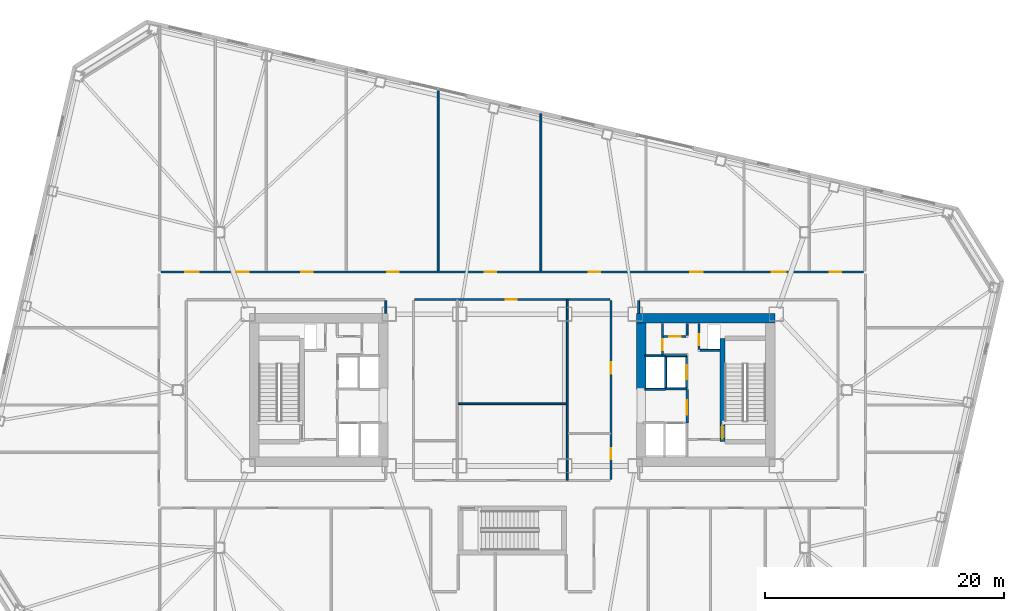
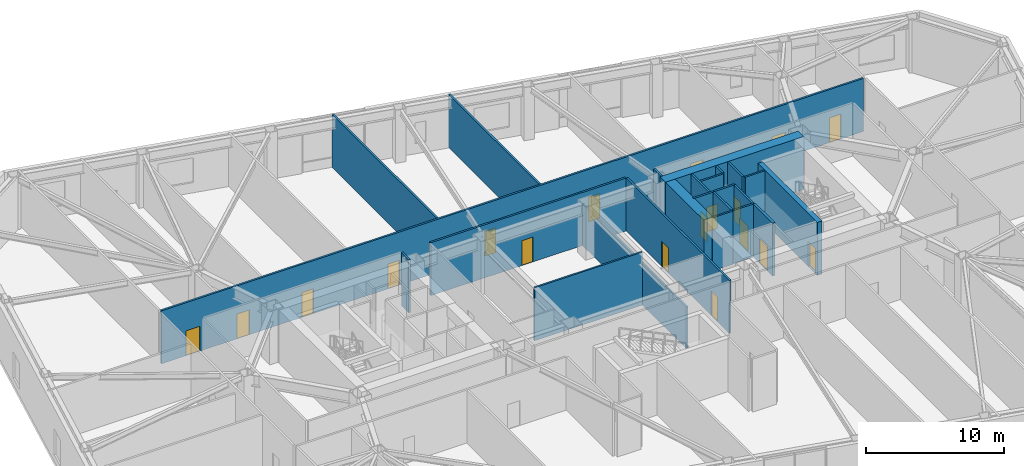
# One storey, part 13 of 21: 24 walls, 18 doors, 18 openings.
"""IFC4 building model written with IfcOpenShell, lengths in metres."""

from ifc_helpers import new_model, si_unit, direction, frame, frame_2d, origin, place, context, subcontext, project, spatial, rectangle, extrude, material, layer, layer_set, type_object, element, fill, save


model = new_model("IFC4")

# Units and contexts
model_context = context("Model", 3, precision=1e-05, world=origin(), true_north=direction((0.0, 1.0)))
body_context = subcontext(model_context, "Body", "Model", "MODEL_VIEW")
ifc_project = project(units=[si_unit("LENGTHUNIT", "METRE"), si_unit("AREAUNIT", "SQUARE_METRE"), si_unit("VOLUMEUNIT", "CUBIC_METRE"), si_unit("PLANEANGLEUNIT", "RADIAN"), si_unit("MASSUNIT", "GRAM", prefix="KILO")], contexts=[model_context])

# Site, building, storey
site_placement = place(None, origin())
site = spatial("IfcSite", under=ifc_project, at=site_placement, CompositionType="ELEMENT")
building_placement = place(site_placement, origin())
building = spatial("IfcBuilding", under=site, at=building_placement, Name="Tavrogorsk Clinical Tower", CompositionType="ELEMENT")
storey_placement = place(building_placement, frame((0.0, 0.0, 8.39990234375)))
storey = spatial("IfcBuildingStorey", under=building, at=storey_placement, Name="L01", CompositionType="ELEMENT", Elevation=8.39990234375)

# Wall, opening, door
ifc_material_1 = material(Name="Concrete B60", Category="concrete")
ifc_layer_1 = layer(ifc_material_1, 0.199951171875)
ifc_layer_set_1 = layer_set([ifc_layer_1], Name="Concrete B60")
wall_type_1 = type_object("IfcWallType", Name="CoreFireWall_200", PredefinedType="SOLIDWALL", material=ifc_layer_set_1)
wall_1_placement = place(storey_placement, frame((14.639892578125, -2.780029296875, 0.0), z_axis=(0.0, 0.0, 1.0), x_axis=(0.0, 1.0, 0.0)))
wall_1 = element("IfcWall", 1, at=wall_1_placement, inside=storey, type_object=wall_type_1, Name="L01 Core East Firefighting Lobby Fire Wall", PredefinedType="SOLIDWALL", context=body_context, shape_type="SweptSolid", body=[
    extrude(rectangle(XDim=2.820068359375, YDim=0.199951171875, at=frame_2d((1.41015625, 0.0))), origin(), (0.0, 0.0, 1.0), 4.7001953125),
])
opening_1_placement = place(wall_1_placement, frame((0.72998046875, 0.0, 0.0)))
opening_1 = element("IfcOpeningElement", 2, at=opening_1_placement, cuts=wall_1, Name="Opening FD-01", PredefinedType="OPENING", context=body_context, shape_type="SweptSolid", body=[
    extrude(rectangle(XDim=1.199951171875, YDim=2.199951171875, at=frame_2d((0.60009765625, 1.10009765625))), frame((0.0, 0.10986328125, 0.0), z_axis=(0.0, -1.0, 0.0), x_axis=(1.0, 0.0, 0.0)), (0.0, 0.0, 1.0), 0.219970703125),
])
ifc_material_2 = material(Name="Galvanised steel fire-rated door assembly", Category="steel")
door_type_1 = type_object("IfcDoorType", Name="FireDoor_FD01_1200", OperationType="NOTDEFINED", PredefinedType="DOOR", material=ifc_material_2)
door_1_placement = place(opening_1_placement, origin())
door_1 = element("IfcDoor", 3, at=door_1_placement, inside=storey, type_object=door_type_1, Name="L01 Core East Firefighting Lobby Entry Door", OperationType="SINGLE_SWING_RIGHT", OverallHeight=2.199951171875, OverallWidth=1.199951171875, PredefinedType="DOOR", context=body_context, shape_type="SweptSolid", body=[
    extrude(rectangle(XDim=1.199951171875, YDim=2.199951171875, at=frame_2d((0.60009765625, 1.10009765625))), frame((0.0, 0.02490234375, 0.0), z_axis=(0.0, -1.0, 0.0), x_axis=(1.0, 0.0, 0.0)), (0.0, 0.0, 1.0), 0.050048828125),
])
fill(opening_1, door_1)

# Walls
ifc_material_3 = material(Name="Lightweight concrete blockwork B15", Category="masonry")
ifc_layer_2 = layer(ifc_material_3, 0.139892578125)
ifc_layer_set_2 = layer_set([ifc_layer_2], Name="Lightweight concrete blockwork B15")
wall_type_2 = type_object("IfcWallType", Name="PartitionWall_140", PredefinedType="PARTITIONING", material=ifc_layer_set_2)
wall_2_placement = place(storey_placement, frame((4.60009765625, -7.56494140625, 0.0), z_axis=(0.0, 0.0, 1.0), x_axis=(0.0, 1.0, 0.0)))
element("IfcWall", 4, at=wall_2_placement, inside=storey, type_object=wall_type_2, Name="L01 Central Spine Partition 2", PredefinedType="PARTITIONING", context=body_context, shape_type="SweptSolid", body=[
    extrude(rectangle(XDim=15.1298828125, YDim=0.139892578125, at=frame_2d((7.56494140625, 0.0))), origin(), (0.0, 0.0, 1.0), 3.695068359375),
])
wall_3_placement = place(storey_placement, frame((-4.52490234375, -1.14990234375, 0.0), z_axis=(0.0, 0.0, 1.0), x_axis=(1.0, 0.0, 0.0)))
element("IfcWall", 5, at=wall_3_placement, inside=storey, type_object=wall_type_2, Name="L01 Central Spine Partition 3", PredefinedType="PARTITIONING", context=body_context, shape_type="SweptSolid", body=[
    extrude(rectangle(XDim=9.0498046875, YDim=0.139892578125, at=frame_2d((4.52490234375, 0.0))), origin(), (0.0, 0.0, 1.0), 4.7001953125),
])

# Wall, opening, door
ifc_material_4 = material(Name="Lightweight concrete blockwork B15", Category="masonry")
ifc_layer_3 = layer(ifc_material_4, 0.159912109375)
ifc_layer_set_3 = layer_set([ifc_layer_3], Name="Lightweight concrete blockwork B15")
wall_type_3 = type_object("IfcWallType", Name="PartitionWall_160", PredefinedType="PARTITIONING", material=ifc_layer_set_3)
wall_4_placement = place(storey_placement, frame((12.580078125, 2.9599609375, 0.0), z_axis=(0.0, 0.0, 1.0), x_axis=(0.0, 1.0, 0.0)))
wall_4 = element("IfcWall", 6, at=wall_4_placement, inside=storey, type_object=wall_type_3, Name="L01 Core East Linen Closet Wall", PredefinedType="PARTITIONING", context=body_context, shape_type="SweptSolid", body=[
    extrude(rectangle(XDim=2.60009765625, YDim=0.159912109375, at=frame_2d((1.300048828125, 0.0))), origin(), (0.0, 0.0, 1.0), 4.7001953125),
])
opening_2_placement = place(wall_4_placement, frame((0.35009765625, 0.0, 0.0)))
opening_2 = element("IfcOpeningElement", 7, at=opening_2_placement, cuts=wall_4, Name="Opening ID-02", PredefinedType="OPENING", context=body_context, shape_type="SweptSolid", body=[
    extrude(rectangle(XDim=0.949951171875, YDim=2.199951171875, at=frame_2d((0.47509765625, 1.10009765625))), frame((0.0, 0.08984375, 0.0), z_axis=(0.0, -1.0, 0.0), x_axis=(1.0, 0.0, 0.0)), (0.0, 0.0, 1.0), 0.179931640625),
])
ifc_material_5 = material(Name="Laminated timber leaf on aluminium frame", Category="wood")
door_type_2 = type_object("IfcDoorType", Name="InteriorDoor_ID02_950", OperationType="NOTDEFINED", PredefinedType="DOOR", material=ifc_material_5)
door_2_placement = place(opening_2_placement, origin())
door_2 = element("IfcDoor", 8, at=door_2_placement, inside=storey, type_object=door_type_2, Name="L01 Core East Linen Closet Door", OperationType="SINGLE_SWING_RIGHT", OverallHeight=2.199951171875, OverallWidth=0.949951171875, PredefinedType="DOOR", context=body_context, shape_type="SweptSolid", body=[
    extrude(rectangle(XDim=0.949951171875, YDim=2.199951171875, at=frame_2d((0.47509765625, 1.10009765625))), frame((0.0, 0.02490234375, 0.0), z_axis=(0.0, -1.0, 0.0), x_axis=(1.0, 0.0, 0.0)), (0.0, 0.0, 1.0), 0.050048828125),
])
fill(opening_2, door_2)

wall_5_placement = place(storey_placement, frame((12.6650390625, 4.47998046875, 0.0), z_axis=(0.0, 0.0, 1.0), x_axis=(1.0, 0.0, 0.0)))
wall_5 = element("IfcWall", 9, at=wall_5_placement, inside=storey, type_object=wall_type_3, Name="L01 Core East Housekeeping South Wall", PredefinedType="PARTITIONING", context=body_context, shape_type="SweptSolid", body=[
    extrude(rectangle(XDim=1.889892578125, YDim=0.159912109375, at=frame_2d((0.94482421875, 0.0))), origin(), (0.0, 0.0, 1.0), 4.7001953125),
])
opening_3_placement = place(wall_5_placement, frame((0.5, 0.0, 0.0)))
opening_3 = element("IfcOpeningElement", 10, at=opening_3_placement, cuts=wall_5, Name="Opening ID-02", PredefinedType="OPENING", context=body_context, shape_type="SweptSolid", body=[
    extrude(rectangle(XDim=0.949951171875, YDim=2.199951171875, at=frame_2d((0.47509765625, 1.10009765625))), frame((0.0, 0.08984375, 0.0), z_axis=(0.0, -1.0, 0.0), x_axis=(1.0, 0.0, 0.0)), (0.0, 0.0, 1.0), 0.179931640625),
])
door_3_placement = place(opening_3_placement, origin())
door_3 = element("IfcDoor", 11, at=door_3_placement, inside=storey, type_object=door_type_2, Name="L01 Core East Housekeeping Closet Door", OperationType="SINGLE_SWING_LEFT", OverallHeight=2.199951171875, OverallWidth=0.949951171875, PredefinedType="DOOR", context=body_context, shape_type="SweptSolid", body=[
    extrude(rectangle(XDim=0.949951171875, YDim=2.199951171875, at=frame_2d((0.47509765625, 1.10009765625))), frame((0.0, 0.02490234375, 0.0), z_axis=(0.0, -1.0, 0.0), x_axis=(1.0, 0.0, 0.0)), (0.0, 0.0, 1.0), 0.050048828125),
])
fill(opening_3, door_3)

# Wall
wall_6_placement = place(storey_placement, frame((14.639892578125, 4.56494140625, 0.0), z_axis=(0.0, 0.0, 1.0), x_axis=(0.0, 1.0, 0.0)))
element("IfcWall", 12, at=wall_6_placement, inside=storey, type_object=wall_type_3, Name="L01 Core East Housekeeping East Wall", PredefinedType="PARTITIONING", context=body_context, shape_type="SweptSolid", body=[
    extrude(rectangle(XDim=0.9951171875, YDim=0.159912109375, at=frame_2d((0.49755859375, 0.0))), origin(), (0.0, 0.0, 1.0), 4.7001953125),
])

# Wall, openings, doors
wall_7_placement = place(storey_placement, frame((-29.4150390625, 9.8798828125, 0.0), z_axis=(0.0, 0.0, 1.0), x_axis=(1.0, 0.0, 0.0)))
wall_7 = element("IfcWall", 13, at=wall_7_placement, inside=storey, type_object=wall_type_3, Name="L01 Corridor Partition 02", PredefinedType="PARTITIONING", context=body_context, shape_type="SweptSolid", body=[
    extrude(rectangle(XDim=58.830078125, YDim=0.159912109375, at=frame_2d((29.4150390625, 0.0))), origin(), (0.0, 0.0, 1.0), 4.7001953125),
])
opening_4_placement = place(wall_7_placement, frame((2.044189453125, 0.0, 0.0)))
opening_4 = element("IfcOpeningElement", 14, at=opening_4_placement, cuts=wall_7, Name="Opening ID-06", PredefinedType="OPENING", context=body_context, shape_type="SweptSolid", body=[
    extrude(rectangle(XDim=1.14990234375, YDim=2.199951171875, at=frame_2d((0.574951171875, 1.10009765625))), frame((0.0, 0.08984375, 0.0), z_axis=(0.0, -1.0, 0.0), x_axis=(1.0, 0.0, 0.0)), (0.0, 0.0, 1.0), 0.179931640625),
])
opening_5_placement = place(wall_7_placement, frame((6.300048828125, 0.0, 0.0)))
opening_5 = element("IfcOpeningElement", 15, at=opening_5_placement, cuts=wall_7, Name="Opening ID-04", PredefinedType="OPENING", context=body_context, shape_type="SweptSolid", body=[
    extrude(rectangle(XDim=1.050048828125, YDim=2.199951171875, at=frame_2d((0.52490234375, 1.10009765625))), frame((0.0, 0.08984375, 0.0), z_axis=(0.0, -1.0, 0.0), x_axis=(1.0, 0.0, 0.0)), (0.0, 0.0, 1.0), 0.179931640625),
])
opening_6_placement = place(wall_7_placement, frame((11.77490234375, 0.0, 0.0)))
opening_6 = element("IfcOpeningElement", 16, at=opening_6_placement, cuts=wall_7, Name="Opening ID-02", PredefinedType="OPENING", context=body_context, shape_type="SweptSolid", body=[
    extrude(rectangle(XDim=0.949951171875, YDim=2.199951171875, at=frame_2d((0.47509765625, 1.10009765625))), frame((0.0, 0.08984375, 0.0), z_axis=(0.0, -1.0, 0.0), x_axis=(1.0, 0.0, 0.0)), (0.0, 0.0, 1.0), 0.179931640625),
])
opening_7_placement = place(wall_7_placement, frame((18.97509765625, 0.0, 0.0)))
opening_7 = element("IfcOpeningElement", 17, at=opening_7_placement, cuts=wall_7, Name="Opening ID-02", PredefinedType="OPENING", context=body_context, shape_type="SweptSolid", body=[
    extrude(rectangle(XDim=0.949951171875, YDim=2.199951171875, at=frame_2d((0.47509765625, 1.10009765625))), frame((0.0, 0.08984375, 0.0), z_axis=(0.0, -1.0, 0.0), x_axis=(1.0, 0.0, 0.0)), (0.0, 0.0, 1.0), 0.179931640625),
])
opening_8_placement = place(wall_7_placement, frame((27.125, 0.0, 0.0)))
opening_8 = element("IfcOpeningElement", 18, at=opening_8_placement, cuts=wall_7, Name="Opening ID-02", PredefinedType="OPENING", context=body_context, shape_type="SweptSolid", body=[
    extrude(rectangle(XDim=0.949951171875, YDim=2.199951171875, at=frame_2d((0.47509765625, 1.10009765625))), frame((0.0, 0.08984375, 0.0), z_axis=(0.0, -1.0, 0.0), x_axis=(1.0, 0.0, 0.0)), (0.0, 0.0, 1.0), 0.179931640625),
])
opening_9_placement = place(wall_7_placement, frame((35.824951171875, 0.0, 0.0)))
opening_9 = element("IfcOpeningElement", 19, at=opening_9_placement, cuts=wall_7, Name="Opening ID-02", PredefinedType="OPENING", context=body_context, shape_type="SweptSolid", body=[
    extrude(rectangle(XDim=0.949951171875, YDim=2.199951171875, at=frame_2d((0.47509765625, 1.10009765625))), frame((0.0, 0.08984375, 0.0), z_axis=(0.0, -1.0, 0.0), x_axis=(1.0, 0.0, 0.0)), (0.0, 0.0, 1.0), 0.179931640625),
])
opening_10_placement = place(wall_7_placement, frame((44.324951171875, 0.0, 0.0)))
opening_10 = element("IfcOpeningElement", 20, at=opening_10_placement, cuts=wall_7, Name="Opening ID-04", PredefinedType="OPENING", context=body_context, shape_type="SweptSolid", body=[
    extrude(rectangle(XDim=1.050048828125, YDim=2.199951171875, at=frame_2d((0.52490234375, 1.10009765625))), frame((0.0, 0.08984375, 0.0), z_axis=(0.0, -1.0, 0.0), x_axis=(1.0, 0.0, 0.0)), (0.0, 0.0, 1.0), 0.179931640625),
])
opening_11_placement = place(wall_7_placement, frame((51.14990234375, 0.0, 0.0)))
opening_11 = element("IfcOpeningElement", 21, at=opening_11_placement, cuts=wall_7, Name="Opening ID-06", PredefinedType="OPENING", context=body_context, shape_type="SweptSolid", body=[
    extrude(rectangle(XDim=1.14990234375, YDim=2.199951171875, at=frame_2d((0.574951171875, 1.10009765625))), frame((0.0, 0.08984375, 0.0), z_axis=(0.0, -1.0, 0.0), x_axis=(1.0, 0.0, 0.0)), (0.0, 0.0, 1.0), 0.179931640625),
])
opening_12_placement = place(wall_7_placement, frame((56.005859375, 0.0, 0.0)))
opening_12 = element("IfcOpeningElement", 22, at=opening_12_placement, cuts=wall_7, Name="Opening ID-02", PredefinedType="OPENING", context=body_context, shape_type="SweptSolid", body=[
    extrude(rectangle(XDim=0.949951171875, YDim=2.199951171875, at=frame_2d((0.47509765625, 1.10009765625))), frame((0.0, 0.08984375, 0.0), z_axis=(0.0, -1.0, 0.0), x_axis=(1.0, 0.0, 0.0)), (0.0, 0.0, 1.0), 0.179931640625),
])
ifc_material_6 = material(Name="Antibacterial HPL consultation door on aluminium frame", Category="aluminium")
door_type_3 = type_object("IfcDoorType", Name="ConsultDoor_ID04_1050", OperationType="NOTDEFINED", PredefinedType="DOOR", material=ifc_material_6)
door_4_placement = place(opening_5_placement, origin())
door_4 = element("IfcDoor", 23, at=door_4_placement, inside=storey, type_object=door_type_3, Name="L01 North Imaging Control & Reporting Room 02 Door", OperationType="SINGLE_SWING_RIGHT", OverallHeight=2.199951171875, OverallWidth=1.050048828125, PredefinedType="DOOR", context=body_context, shape_type="SweptSolid", body=[
    extrude(rectangle(XDim=1.050048828125, YDim=2.199951171875, at=frame_2d((0.52490234375, 1.10009765625))), frame((0.0, 0.02490234375, 0.0), z_axis=(0.0, -1.0, 0.0), x_axis=(1.0, 0.0, 0.0)), (0.0, 0.0, 1.0), 0.050048828125),
])
fill(opening_5, door_4)
door_5_placement = place(opening_10_placement, origin())
door_5 = element("IfcDoor", 24, at=door_5_placement, inside=storey, type_object=door_type_3, Name="L01 North Diagnostic Imaging & MRI Suite 07 Door", OperationType="SINGLE_SWING_LEFT", OverallHeight=2.199951171875, OverallWidth=1.050048828125, PredefinedType="DOOR", context=body_context, shape_type="SweptSolid", body=[
    extrude(rectangle(XDim=1.050048828125, YDim=2.199951171875, at=frame_2d((0.52490234375, 1.10009765625))), frame((0.0, 0.02490234375, 0.0), z_axis=(0.0, -1.0, 0.0), x_axis=(1.0, 0.0, 0.0)), (0.0, 0.0, 1.0), 0.050048828125),
])
fill(opening_10, door_5)
door_6_placement = place(opening_6_placement, origin())
door_6 = element("IfcDoor", 25, at=door_6_placement, inside=storey, type_object=door_type_2, Name="L01 North Diagnostic Imaging & MRI Suite 03 Door", OperationType="SINGLE_SWING_LEFT", OverallHeight=2.199951171875, OverallWidth=0.949951171875, PredefinedType="DOOR", context=body_context, shape_type="SweptSolid", body=[
    extrude(rectangle(XDim=0.949951171875, YDim=2.199951171875, at=frame_2d((0.47509765625, 1.10009765625))), frame((0.0, 0.02490234375, 0.0), z_axis=(0.0, -1.0, 0.0), x_axis=(1.0, 0.0, 0.0)), (0.0, 0.0, 1.0), 0.050048828125),
])
fill(opening_6, door_6)
door_7_placement = place(opening_7_placement, origin())
door_7 = element("IfcDoor", 26, at=door_7_placement, inside=storey, type_object=door_type_2, Name="L01 North Imaging Control & Reporting Room 04 Door", OperationType="SINGLE_SWING_RIGHT", OverallHeight=2.199951171875, OverallWidth=0.949951171875, PredefinedType="DOOR", context=body_context, shape_type="SweptSolid", body=[
    extrude(rectangle(XDim=0.949951171875, YDim=2.199951171875, at=frame_2d((0.47509765625, 1.10009765625))), frame((0.0, 0.02490234375, 0.0), z_axis=(0.0, -1.0, 0.0), x_axis=(1.0, 0.0, 0.0)), (0.0, 0.0, 1.0), 0.050048828125),
])
fill(opening_7, door_7)
door_8_placement = place(opening_8_placement, origin())
door_8 = element("IfcDoor", 27, at=door_8_placement, inside=storey, type_object=door_type_2, Name="L01 North Diagnostic Imaging & MRI Suite 05 Door", OperationType="SINGLE_SWING_LEFT", OverallHeight=2.199951171875, OverallWidth=0.949951171875, PredefinedType="DOOR", context=body_context, shape_type="SweptSolid", body=[
    extrude(rectangle(XDim=0.949951171875, YDim=2.199951171875, at=frame_2d((0.47509765625, 1.10009765625))), frame((0.0, 0.02490234375, 0.0), z_axis=(0.0, -1.0, 0.0), x_axis=(1.0, 0.0, 0.0)), (0.0, 0.0, 1.0), 0.050048828125),
])
fill(opening_8, door_8)
door_9_placement = place(opening_9_placement, origin())
door_9 = element("IfcDoor", 28, at=door_9_placement, inside=storey, type_object=door_type_2, Name="L01 North Imaging Control & Reporting Room 06 Door", OperationType="SINGLE_SWING_RIGHT", OverallHeight=2.199951171875, OverallWidth=0.949951171875, PredefinedType="DOOR", context=body_context, shape_type="SweptSolid", body=[
    extrude(rectangle(XDim=0.949951171875, YDim=2.199951171875, at=frame_2d((0.47509765625, 1.10009765625))), frame((0.0, 0.02490234375, 0.0), z_axis=(0.0, -1.0, 0.0), x_axis=(1.0, 0.0, 0.0)), (0.0, 0.0, 1.0), 0.050048828125),
])
fill(opening_9, door_9)
door_10_placement = place(opening_12_placement, origin())
door_10 = element("IfcDoor", 29, at=door_10_placement, inside=storey, type_object=door_type_2, Name="L01 North Diagnostic Imaging & MRI Suite 09 Door", OperationType="SINGLE_SWING_LEFT", OverallHeight=2.199951171875, OverallWidth=0.949951171875, PredefinedType="DOOR", context=body_context, shape_type="SweptSolid", body=[
    extrude(rectangle(XDim=0.949951171875, YDim=2.199951171875, at=frame_2d((0.47509765625, 1.10009765625))), frame((0.0, 0.02490234375, 0.0), z_axis=(0.0, -1.0, 0.0), x_axis=(1.0, 0.0, 0.0)), (0.0, 0.0, 1.0), 0.050048828125),
])
fill(opening_12, door_10)
ifc_material_7 = material(Name="Antibacterial HPL procedure door on aluminium frame", Category="aluminium")
door_type_4 = type_object("IfcDoorType", Name="LabDoor_ID06_1150", OperationType="NOTDEFINED", PredefinedType="DOOR", material=ifc_material_7)
door_11_placement = place(opening_4_placement, origin())
door_11 = element("IfcDoor", 30, at=door_11_placement, inside=storey, type_object=door_type_4, Name="L01 North Diagnostic Imaging & MRI Suite 01 Door", OperationType="SINGLE_SWING_LEFT", OverallHeight=2.199951171875, OverallWidth=1.14990234375, PredefinedType="DOOR", context=body_context, shape_type="SweptSolid", body=[
    extrude(rectangle(XDim=1.14990234375, YDim=2.199951171875, at=frame_2d((0.574951171875, 1.10009765625))), frame((0.0, 0.02490234375, 0.0), z_axis=(0.0, -1.0, 0.0), x_axis=(1.0, 0.0, 0.0)), (0.0, 0.0, 1.0), 0.050048828125),
])
fill(opening_4, door_11)
door_12_placement = place(opening_11_placement, origin())
door_12 = element("IfcDoor", 31, at=door_12_placement, inside=storey, type_object=door_type_4, Name="L01 North Imaging Control & Reporting Room 08 Door", OperationType="SINGLE_SWING_RIGHT", OverallHeight=2.199951171875, OverallWidth=1.14990234375, PredefinedType="DOOR", context=body_context, shape_type="SweptSolid", body=[
    extrude(rectangle(XDim=1.14990234375, YDim=2.199951171875, at=frame_2d((0.574951171875, 1.10009765625))), frame((0.0, 0.02490234375, 0.0), z_axis=(0.0, -1.0, 0.0), x_axis=(1.0, 0.0, 0.0)), (0.0, 0.0, 1.0), 0.050048828125),
])
fill(opening_11, door_12)

# Wall
wall_8_placement = place(storey_placement, frame((10.580078125, 7.485107421875, 0.0), z_axis=(0.0, 0.0, 1.0), x_axis=(0.0, -1.0, 0.0)))
element("IfcWall", 32, at=wall_8_placement, inside=storey, type_object=wall_type_3, Name="L01 Corridor Partition 13", PredefinedType="PARTITIONING", context=body_context, shape_type="SweptSolid", body=[
    extrude(rectangle(XDim=1.065185546875, YDim=0.159912109375, at=frame_2d((0.53271484375, 0.0))), origin(), (0.0, 0.0, 1.0), 4.7001953125),
])

# Wall, opening, door
wall_9_placement = place(storey_placement, frame((8.18505859375, 7.570068359375, 0.0), z_axis=(0.0, 0.0, 1.0), x_axis=(-1.0, 0.0, 0.0)))
wall_9 = element("IfcWall", 33, at=wall_9_placement, inside=storey, type_object=wall_type_3, Name="L01 Corridor Partition 17", PredefinedType="PARTITIONING", context=body_context, shape_type="SweptSolid", body=[
    extrude(rectangle(XDim=16.3701171875, YDim=0.159912109375, at=frame_2d((8.18505859375, 0.0))), origin(), (0.0, 0.0, 1.0), 4.7001953125),
])
opening_13_placement = place(wall_9_placement, frame((7.794921875, 0.0, 0.0)))
opening_13 = element("IfcOpeningElement", 34, at=opening_13_placement, cuts=wall_9, Name="Opening ID-02", PredefinedType="OPENING", context=body_context, shape_type="SweptSolid", body=[
    extrude(rectangle(XDim=0.949951171875, YDim=2.199951171875, at=frame_2d((0.47509765625, 1.10009765625))), frame((0.0, 0.08984375, 0.0), z_axis=(0.0, -1.0, 0.0), x_axis=(1.0, 0.0, 0.0)), (0.0, 0.0, 1.0), 0.179931640625),
])
door_13_placement = place(opening_13_placement, origin())
door_13 = element("IfcDoor", 35, at=door_13_placement, inside=storey, type_object=door_type_2, Name="L01 Nurses' Station & Triage Hub Door", OperationType="SINGLE_SWING_LEFT", OverallHeight=2.199951171875, OverallWidth=0.949951171875, PredefinedType="DOOR", context=body_context, shape_type="SweptSolid", body=[
    extrude(rectangle(XDim=0.949951171875, YDim=2.199951171875, at=frame_2d((0.47509765625, 1.10009765625))), frame((0.0, 0.02490234375, 0.0), z_axis=(0.0, -1.0, 0.0), x_axis=(1.0, 0.0, 0.0)), (0.0, 0.0, 1.0), 0.050048828125),
])
fill(opening_13, door_13)

# Wall, openings, doors
wall_10_placement = place(storey_placement, frame((8.27001953125, -7.485107421875, 0.0), z_axis=(0.0, 0.0, 1.0), x_axis=(0.0, 1.0, 0.0)))
wall_10 = element("IfcWall", 36, at=wall_10_placement, inside=storey, type_object=wall_type_3, Name="L01 Corridor Partition 20", PredefinedType="PARTITIONING", context=body_context, shape_type="SweptSolid", body=[
    extrude(rectangle(XDim=14.97021484375, YDim=0.159912109375, at=frame_2d((7.485107421875, 0.0))), origin(), (0.0, 0.0, 1.0), 4.7001953125),
])
opening_14_placement = place(wall_10_placement, frame((1.67919921875, 0.0, 0.0)))
opening_14 = element("IfcOpeningElement", 37, at=opening_14_placement, cuts=wall_10, Name="Opening ID-02", PredefinedType="OPENING", context=body_context, shape_type="SweptSolid", body=[
    extrude(rectangle(XDim=0.949951171875, YDim=2.199951171875, at=frame_2d((0.47509765625, 1.10009765625))), frame((0.0, 0.08984375, 0.0), z_axis=(0.0, -1.0, 0.0), x_axis=(1.0, 0.0, 0.0)), (0.0, 0.0, 1.0), 0.179931640625),
])
opening_15_placement = place(wall_10_placement, frame((8.86083984375, 0.0, 0.0)))
opening_15 = element("IfcOpeningElement", 38, at=opening_15_placement, cuts=wall_10, Name="Opening ID-02", PredefinedType="OPENING", context=body_context, shape_type="SweptSolid", body=[
    extrude(rectangle(XDim=0.949951171875, YDim=2.199951171875, at=frame_2d((0.47509765625, 1.10009765625))), frame((0.0, 0.08984375, 0.0), z_axis=(0.0, -1.0, 0.0), x_axis=(1.0, 0.0, 0.0)), (0.0, 0.0, 1.0), 0.179931640625),
])
door_14_placement = place(opening_14_placement, origin())
door_14 = element("IfcDoor", 39, at=door_14_placement, inside=storey, type_object=door_type_2, Name="L01 Staff & Visitor Accessible WC Door", OperationType="SINGLE_SWING_RIGHT", OverallHeight=2.199951171875, OverallWidth=0.949951171875, PredefinedType="DOOR", context=body_context, shape_type="SweptSolid", body=[
    extrude(rectangle(XDim=0.949951171875, YDim=2.199951171875, at=frame_2d((0.47509765625, 1.10009765625))), frame((0.0, 0.02490234375, 0.0), z_axis=(0.0, -1.0, 0.0), x_axis=(1.0, 0.0, 0.0)), (0.0, 0.0, 1.0), 0.050048828125),
])
fill(opening_14, door_14)
door_15_placement = place(opening_15_placement, origin())
door_15 = element("IfcDoor", 40, at=door_15_placement, inside=storey, type_object=door_type_2, Name="L01 Attending Physician Office Door", OperationType="SINGLE_SWING_LEFT", OverallHeight=2.199951171875, OverallWidth=0.949951171875, PredefinedType="DOOR", context=body_context, shape_type="SweptSolid", body=[
    extrude(rectangle(XDim=0.949951171875, YDim=2.199951171875, at=frame_2d((0.47509765625, 1.10009765625))), frame((0.0, 0.02490234375, 0.0), z_axis=(0.0, -1.0, 0.0), x_axis=(1.0, 0.0, 0.0)), (0.0, 0.0, 1.0), 0.050048828125),
])
fill(opening_15, door_15)

# Walls
wall_11_placement = place(storey_placement, frame((-10.580078125, 6.419921875, 0.0), z_axis=(0.0, 0.0, 1.0), x_axis=(0.0, 1.0, 0.0)))
element("IfcWall", 41, at=wall_11_placement, inside=storey, type_object=wall_type_3, Name="L01 Corridor Partition 22", PredefinedType="PARTITIONING", context=body_context, shape_type="SweptSolid", body=[
    extrude(rectangle(XDim=1.065185546875, YDim=0.159912109375, at=frame_2d((0.53271484375, 0.0))), origin(), (0.0, 0.0, 1.0), 4.7001953125),
])
wall_12_placement = place(storey_placement, frame((-6.199951171875, 9.965087890625, 0.0), z_axis=(0.0, 0.0, 1.0), x_axis=(0.0, 1.0, 0.0)))
element("IfcWall", 42, at=wall_12_placement, inside=storey, type_object=wall_type_3, Name="L01 North Room Partition 4", PredefinedType="PARTITIONING", context=body_context, shape_type="SweptSolid", body=[
    extrude(rectangle(XDim=15.139404296875, YDim=0.159912109375, at=frame_2d((7.56982421875, 0.0))), origin(), (0.0, 0.0, 1.0), 4.7001953125),
])
wall_13_placement = place(storey_placement, frame((2.39990234375, 9.965087890625, 0.0), z_axis=(0.0, 0.0, 1.0), x_axis=(0.0, 1.0, 0.0)))
element("IfcWall", 43, at=wall_13_placement, inside=storey, type_object=wall_type_3, Name="L01 North Room Partition 5", PredefinedType="PARTITIONING", context=body_context, shape_type="SweptSolid", body=[
    extrude(rectangle(XDim=13.15380859375, YDim=0.159912109375, at=frame_2d((6.576904296875, 0.0))), origin(), (0.0, 0.0, 1.0), 4.7001953125),
])

# Wall, opening, door
ifc_material_8 = material(Name="Lightweight concrete blockwork B25", Category="masonry")
ifc_layer_4 = layer(ifc_material_8, 0.159912109375)
ifc_layer_set_4 = layer_set([ifc_layer_4], Name="Lightweight concrete blockwork B25")
wall_type_4 = type_object("IfcWallType", Name="ShaftWall_160", PredefinedType="PARTITIONING", material=ifc_layer_set_4)
wall_14_placement = place(storey_placement, frame((14.60009765625, 0.1201171875, 0.0), z_axis=(0.0, 0.0, 1.0), x_axis=(0.0, 1.0, 0.0)))
wall_14 = element("IfcWall", 44, at=wall_14_placement, inside=storey, type_object=wall_type_4, Name="L01 FFL-E Firefighting Lift Front Wall", PredefinedType="PARTITIONING", context=body_context, shape_type="SweptSolid", body=[
    extrude(rectangle(XDim=2.739990234375, YDim=0.159912109375, at=frame_2d((1.3701171875, 0.0))), origin(), (0.0, 0.0, 1.0), 4.7001953125),
])
opening_16_placement = place(wall_14_placement, frame((0.77001953125, 0.0, 0.0)))
opening_16 = element("IfcOpeningElement", 45, at=opening_16_placement, cuts=wall_14, Name="Opening LD", PredefinedType="OPENING", context=body_context, shape_type="SweptSolid", body=[
    extrude(rectangle(XDim=1.199951171875, YDim=2.199951171875, at=frame_2d((0.60009765625, 1.10009765625))), frame((0.0, 0.08984375, 0.0), z_axis=(0.0, -1.0, 0.0), x_axis=(1.0, 0.0, 0.0)), (0.0, 0.0, 1.0), 0.179931640625),
])
ifc_material_9 = material(Name="Brushed stainless steel AISI 304 sliding doors", Category="steel")
door_type_5 = type_object("IfcDoorType", Name="LiftLandingDoor_LD_1200", OperationType="SLIDING_TO_LEFT", PredefinedType="DOOR", material=ifc_material_9)
door_16_placement = place(opening_16_placement, origin())
door_16 = element("IfcDoor", 46, at=door_16_placement, inside=storey, type_object=door_type_5, Name="L01 FFL-E Sliding Lift Landing Door", OperationType="SLIDING_TO_LEFT", OverallHeight=2.199951171875, OverallWidth=1.199951171875, PredefinedType="DOOR", context=body_context, shape_type="SweptSolid", body=[
    extrude(rectangle(XDim=1.199951171875, YDim=2.199951171875, at=frame_2d((0.60009765625, 1.10009765625))), frame((0.0, 0.02490234375, 0.0), z_axis=(0.0, -1.0, 0.0), x_axis=(1.0, 0.0, 0.0)), (0.0, 0.0, 1.0), 0.050048828125),
])
fill(opening_16, door_16)

# Walls
for number, where, z_axis, x_axis, name in (
    (47, (12.840087890625, 0.10009765625, 0.0), (0.0, 0.0, 1.0), (1.0, 0.0, 0.0), "L01 FFL-E Shaft South Wall"),
    (48, (12.840087890625, 2.8798828125, 0.0), (0.0, 0.0, 1.0), (1.0, 0.0, 0.0), "L01 FFL-E Shaft North Wall"),
):
    element("IfcWall", number, at=place(storey_placement, frame(where, z_axis=z_axis, x_axis=x_axis)), inside=storey, type_object=wall_type_4, Name=name, PredefinedType="PARTITIONING", context=body_context, shape_type="SweptSolid", body=[
        extrude(rectangle(XDim=1.760009765625, YDim=0.159912109375, at=frame_2d((0.8798828125, 0.0))), origin(), (0.0, 0.0, 1.0), 4.7001953125),
    ])
wall_15_placement = place(storey_placement, frame((12.840087890625, 0.179931640625, 0.0), z_axis=(0.0, 0.0, 1.0), x_axis=(0.0, 1.0, 0.0)))
element("IfcWall", 49, at=wall_15_placement, inside=storey, type_object=wall_type_4, Name="L01 FFL-E Shaft Back Wall", PredefinedType="PARTITIONING", context=body_context, shape_type="SweptSolid", body=[
    extrude(rectangle(XDim=2.6201171875, YDim=0.159912109375, at=frame_2d((1.31005859375, 0.0))), origin(), (0.0, 0.0, 1.0), 4.7001953125),
])
for number, where, z_axis, x_axis, name in (
    (50, (11.10009765625, 0.06005859375, 0.0), (0.0, 0.0, 1.0), (1.0, 0.0, 0.0), "L01 LP-H2 High-Zone Lift Portal Wall"),
    (51, (11.10009765625, 2.860107421875, 0.0), (0.0, 0.0, 1.0), (1.0, 0.0, 0.0), "L01 LP-H2 High-Zone Lift Rear Wall"),
):
    element("IfcWall", number, at=place(storey_placement, frame(where, z_axis=z_axis, x_axis=x_axis)), inside=storey, type_object=wall_type_4, Name=name, PredefinedType="PARTITIONING", context=body_context, shape_type="SweptSolid", body=[
        extrude(rectangle(XDim=1.719970703125, YDim=0.159912109375, at=frame_2d((0.85986328125, 0.0))), origin(), (0.0, 0.0, 1.0), 4.7001953125),
    ])

# Wall, opening, door
wall_16_placement = place(storey_placement, frame((15.639892578125, 3.405029296875, 0.0), z_axis=(0.0, 0.0, 1.0), x_axis=(0.0, 1.0, 0.0)))
wall_16 = element("IfcWall", 52, at=wall_16_placement, inside=storey, type_object=wall_type_4, Name="L01 Core East Riser West Wall", PredefinedType="PARTITIONING", context=body_context, shape_type="SweptSolid", body=[
    extrude(rectangle(XDim=2.155029296875, YDim=0.159912109375, at=frame_2d((1.07763671875, 0.0))), origin(), (0.0, 0.0, 1.0), 4.7001953125),
])
opening_17_placement = place(wall_16_placement, frame((0.35009765625, 0.0, 0.0)))
opening_17 = element("IfcOpeningElement", 53, at=opening_17_placement, cuts=wall_16, Name="Opening FD-02", PredefinedType="OPENING", context=body_context, shape_type="SweptSolid", body=[
    extrude(rectangle(XDim=0.89990234375, YDim=2.199951171875, at=frame_2d((0.449951171875, 1.10009765625))), frame((0.0, 0.08984375, 0.0), z_axis=(0.0, -1.0, 0.0), x_axis=(1.0, 0.0, 0.0)), (0.0, 0.0, 1.0), 0.179931640625),
])
ifc_material_10 = material(Name="Galvanised steel fire-rated door assembly", Category="steel")
door_type_6 = type_object("IfcDoorType", Name="FireDoor_FD02_900", OperationType="NOTDEFINED", PredefinedType="DOOR", material=ifc_material_10)
door_17_placement = place(opening_17_placement, origin())
door_17 = element("IfcDoor", 54, at=door_17_placement, inside=storey, type_object=door_type_6, Name="L01 Core East Electrical Riser Access Door", OperationType="SINGLE_SWING_RIGHT", OverallHeight=2.199951171875, OverallWidth=0.89990234375, PredefinedType="DOOR", context=body_context, shape_type="SweptSolid", body=[
    extrude(rectangle(XDim=0.89990234375, YDim=2.199951171875, at=frame_2d((0.449951171875, 1.10009765625))), frame((0.0, 0.02490234375, 0.0), z_axis=(0.0, -1.0, 0.0), x_axis=(1.0, 0.0, 0.0)), (0.0, 0.0, 1.0), 0.050048828125),
])
fill(opening_17, door_17)

# Wall
wall_17_placement = place(storey_placement, frame((15.72509765625, 3.320068359375, 0.0), z_axis=(0.0, 0.0, 1.0), x_axis=(1.0, 0.0, 0.0)))
element("IfcWall", 55, at=wall_17_placement, inside=storey, type_object=wall_type_4, Name="L01 Core East Riser South Wall", PredefinedType="PARTITIONING", context=body_context, shape_type="SweptSolid", body=[
    extrude(rectangle(XDim=1.65478515625, YDim=0.159912109375, at=frame_2d((0.827392578125, 0.0))), origin(), (0.0, 0.0, 1.0), 4.7001953125),
])

# Wall, opening, door
ifc_material_11 = material(Name="Concrete B80", Category="concrete")
ifc_layer_5 = layer(ifc_material_11, 0.39990234375)
ifc_layer_set_5 = layer_set([ifc_layer_5], Name="Concrete B80")
wall_type_5 = type_object("IfcWallType", Name="ShearWall_400", PredefinedType="SHEAR", material=ifc_layer_set_5)
wall_18_placement = place(storey_placement, frame((17.60009765625, -4.324951171875, 0.0), z_axis=(0.0, 0.0, 1.0), x_axis=(0.0, 1.0, 0.0)))
wall_18 = element("IfcWall", 56, at=wall_18_placement, inside=storey, type_object=wall_type_5, Name="L01 Core East Stair Shaft Inner Shear Wall", PredefinedType="SHEAR", context=body_context, shape_type="SweptSolid", body=[
    extrude(rectangle(XDim=8.64990234375, YDim=0.39990234375, at=frame_2d((4.324951171875, 0.0))), origin(), (0.0, 0.0, 1.0), 4.7001953125),
])
opening_18_placement = place(wall_18_placement, frame((0.25, 0.0, 0.0)))
opening_18 = element("IfcOpeningElement", 57, at=opening_18_placement, cuts=wall_18, Name="Opening SD-01", PredefinedType="OPENING", context=body_context, shape_type="SweptSolid", body=[
    extrude(rectangle(XDim=1.10009765625, YDim=2.199951171875, at=frame_2d((0.550048828125, 1.10009765625))), frame((0.0, 0.2099609375, 0.0), z_axis=(0.0, -1.0, 0.0), x_axis=(1.0, 0.0, 0.0)), (0.0, 0.0, 1.0), 0.419921875),
])
ifc_material_12 = material(Name="Galvanised steel smoke-tight fire door assembly", Category="steel")
door_type_7 = type_object("IfcDoorType", Name="StairFireDoor_SD01_1100", OperationType="NOTDEFINED", PredefinedType="DOOR", material=ifc_material_12)
door_18_placement = place(opening_18_placement, origin())
door_18 = element("IfcDoor", 58, at=door_18_placement, inside=storey, type_object=door_type_7, Name="L01 ST-E Exit Stair Door", OperationType="SINGLE_SWING_LEFT", OverallHeight=2.199951171875, OverallWidth=1.10009765625, PredefinedType="DOOR", context=body_context, shape_type="SweptSolid", body=[
    extrude(rectangle(XDim=1.10009765625, YDim=2.199951171875, at=frame_2d((0.550048828125, 1.10009765625))), frame((0.0, 0.02490234375, 0.0), z_axis=(0.0, -1.0, 0.0), x_axis=(1.0, 0.0, 0.0)), (0.0, 0.0, 1.0), 0.050048828125),
])
fill(opening_18, door_18)

# Walls
ifc_material_13 = material(Name="Concrete B80", Category="concrete")
ifc_layer_6 = layer(ifc_material_13, 0.800048828125)
ifc_layer_set_6 = layer_set([ifc_layer_6], Name="Concrete B80")
wall_type_6 = type_object("IfcWallType", Name="ShearWall_800", PredefinedType="SHEAR", material=ifc_layer_set_6)
wall_19_placement = place(storey_placement, frame((10.39990234375, 6.0, 0.0), z_axis=(0.0, 0.0, 1.0), x_axis=(1.0, 0.0, 0.0)))
element("IfcWall", 59, at=wall_19_placement, inside=storey, type_object=wall_type_6, Name="L01 Core East North Shear Wall", PredefinedType="SHEAR", context=body_context, shape_type="SweptSolid", body=[
    extrude(rectangle(XDim=11.60009765625, YDim=0.800048828125, at=frame_2d((5.800048828125, 0.0))), origin(), (0.0, 0.0, 1.0), 4.7001953125),
])
wall_20_placement = place(storey_placement, frame((10.800048828125, 0.050048828125, 0.0), z_axis=(0.0, 0.0, 1.0), x_axis=(0.0, 1.0, 0.0)))
element("IfcWall", 60, at=wall_20_placement, inside=storey, type_object=wall_type_6, Name="L01 Core East Inner North Pier", PredefinedType="SHEAR", context=body_context, shape_type="SweptSolid", body=[
    extrude(rectangle(XDim=5.550048828125, YDim=0.800048828125, at=frame_2d((2.77490234375, 0.0))), origin(), (0.0, 0.0, 1.0), 4.7001953125),
])

save(model, "model.ifc")
